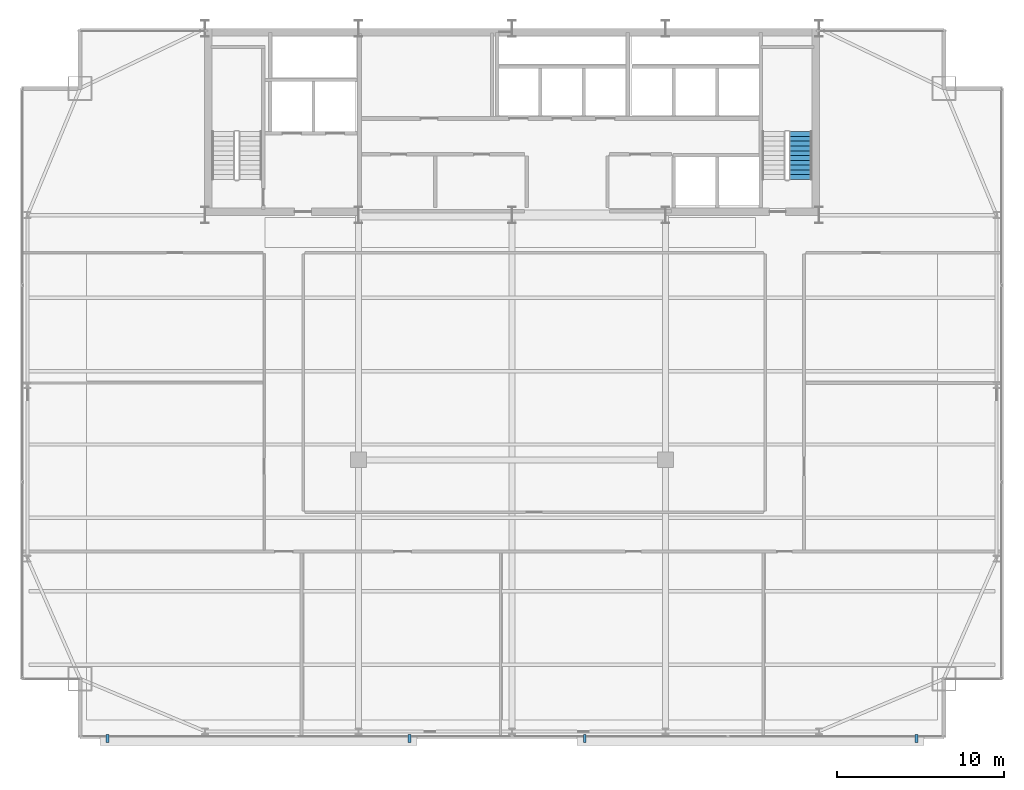
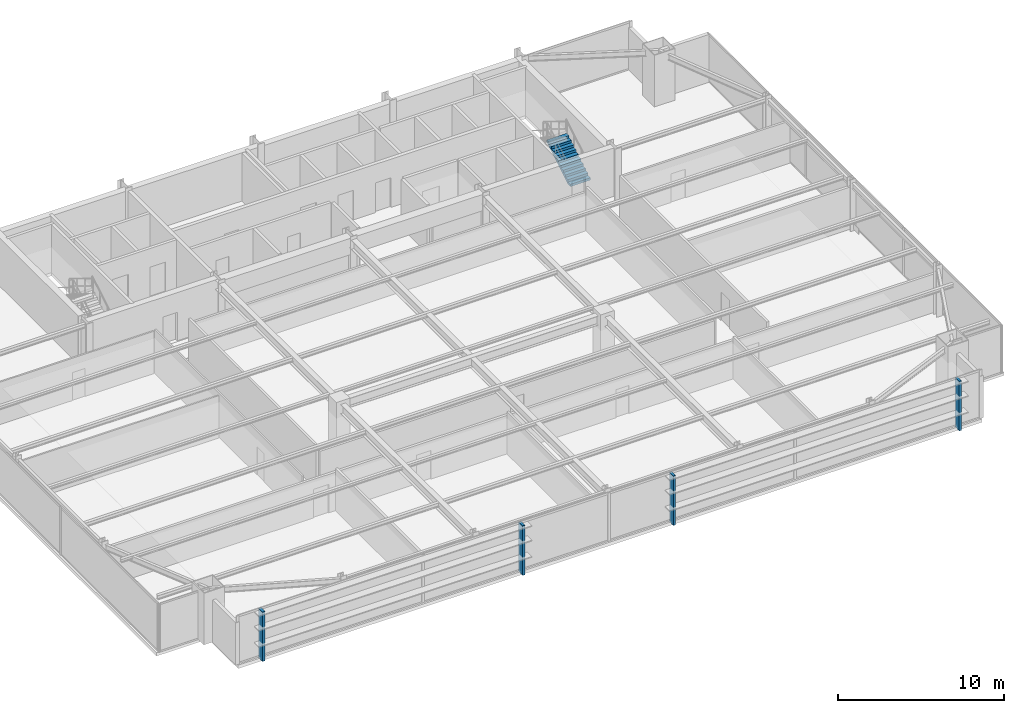
# One storey, part 31 of 33: 4 discrete accessories, 1 stair flight, 1 element without a shape of its own.
"""IFC4 building model written with IfcOpenShell, lengths in metres."""

from ifc_helpers import new_model, si_unit, direction, frame, origin, origin_2d, place, context, subcontext, project, spatial, polyline, rectangle, outline, extrude, source, transform, mapped, material, layer, layer_set, type_object, type_shapes, element, aggregate, save


model = new_model("IFC4")

# Units and contexts
model_context = context("Model", 3, precision=1e-05, world=origin(), true_north=direction((0.0, 1.0)))
body_context = subcontext(model_context, "Body", "Model", "MODEL_VIEW")
ifc_project = project(units=[si_unit("LENGTHUNIT", "METRE"), si_unit("AREAUNIT", "SQUARE_METRE"), si_unit("VOLUMEUNIT", "CUBIC_METRE"), si_unit("PLANEANGLEUNIT", "RADIAN"), si_unit("MASSUNIT", "GRAM", prefix="KILO")], contexts=[model_context])

# Site, building, storey
site_placement = place(None, origin())
site = spatial("IfcSite", under=ifc_project, at=site_placement, CompositionType="ELEMENT")
building_placement = place(site_placement, origin())
building = spatial("IfcBuilding", under=site, at=building_placement, Name="Varnel Quay Broadcast Tower", CompositionType="ELEMENT")
storey_placement = place(building_placement, frame((0.0, 0.0, 129.60009765625)))
storey = spatial("IfcBuildingStorey", under=building, at=storey_placement, Name="L31", CompositionType="ELEMENT", Elevation=129.60009765625)

# Stair, stair flight
ifc_material_1 = material(Name="Precast Structural Concrete C40/50", Category="concrete")
stair_type = type_object("IfcStairType", Name="Stair_ST-02", PredefinedType="HALF_TURN_STAIR", material=ifc_material_1)
stair_placement = place(storey_placement, origin())
stair = element("IfcStair", 1, at=stair_placement, inside=storey, type_object=stair_type, Name="L31 East Core Exit Stair 2", PredefinedType="HALF_TURN_STAIR")
stair_flight_type = type_object("IfcStairFlightType", Name="Flight_ST-02", PredefinedType="STRAIGHT", material=ifc_material_1)
stair_flight_placement = place(storey_placement, frame((51.300048828125, 37.75, 0.0), z_axis=(0.0, 0.0, 1.0), x_axis=(0.0, 1.0, 0.0)))
stair_flight = element("IfcStairFlight", 2, at=stair_flight_placement, type_object=stair_flight_type, Name="ST-02 flight 1", NumberOfRisers=11, NumberOfTreads=10, PredefinedType="STRAIGHT", RiserHeight=0.172727273, TreadLength=0.285, context=body_context, shape_type="SweptSolid", body=[
    extrude(outline(polyline([(0.0, 0.0), (0.0, 0.172607421875), (0.284912109375, 0.172607421875), (0.284912109375, 0.345458984375), (0.570068359375, 0.345458984375), (0.570068359375, 0.51806640625), (0.85498046875, 0.51806640625), (0.85498046875, 0.69091796875), (1.139892578125, 0.69091796875), (1.139892578125, 0.863525390625), (1.425048828125, 0.863525390625), (1.425048828125, 1.036376953125), (1.7099609375, 1.036376953125), (1.7099609375, 1.208984375), (1.9951171875, 1.208984375), (1.9951171875, 1.3818359375), (2.280029296875, 1.3818359375), (2.280029296875, 1.554443359375), (2.56494140625, 1.554443359375), (2.56494140625, 1.727294921875), (2.85009765625, 1.727294921875), (2.85009765625, 1.89990234375), (2.85009765625, 1.552001953125), (0.289306640625, 0.0), (0.0, 0.0)])), frame((0.0, 0.699951171875, 0.0), z_axis=(0.0, -1.0, 0.0), x_axis=(1.0, 0.0, 0.0)), (0.0, 0.0, 1.0), 1.39990234375),
])
aggregate(stair, [stair_flight])

# Discrete accessories
ifc_material_2 = material(Name="Anodised Bronze Aluminium 6063-T6", Category="aluminium")
ifc_layer = layer(ifc_material_2, 0.47998046875, Name="Anodised Bronze Aluminium 6063-T6")
ifc_layer_set = layer_set([ifc_layer], Name="Anodised Bronze Aluminium 6063-T6")
discrete_accessory_type = type_object("IfcDiscreteAccessoryType", Name="Acc_FacadeBracket", PredefinedType="BRACKET", material=ifc_layer_set)
shared_shape = source(origin(), body_context, "Body", "SweptSolid", [
    extrude(rectangle(XDim=0.159912109375, YDim=0.47998046875, at=origin_2d()), origin(), (0.0, 0.0, 1.0), 3.64990234375),
])
type_shapes(discrete_accessory_type, [shared_shape])
for number, where, z_axis, x_axis, name in (
    (3, (9.75, 4.219970703125, -0.150146484375), (0.0, 0.0, 1.0), (1.0, 0.0, 0.0), "L31 Lobe 1 Louvre Support Bracket 1"),
    (4, (27.85498046875, 4.219970703125, -0.150146484375), (0.0, 0.0, 1.0), (1.0, 0.0, 0.0), "L31 Lobe 1 Louvre Support Bracket 2"),
    (5, (38.35498046875, 4.219970703125, -0.150146484375), (0.0, 0.0, 1.0), (1.0, 0.0, 0.0), "L31 Lobe 2 Louvre Support Bracket 1"),
    (6, (58.25, 4.219970703125, -0.150146484375), (0.0, 0.0, 1.0), (1.0, 0.0, 0.0), "L31 Lobe 2 Louvre Support Bracket 2"),
):
    element("IfcDiscreteAccessory", number, at=place(storey_placement, frame(where, z_axis=z_axis, x_axis=x_axis)), inside=storey, type_object=discrete_accessory_type, Name=name, PredefinedType="BRACKET", context=body_context, shape_type="MappedRepresentation", body=[
        mapped(shared_shape, transform((0.0, 0.0, 0.0), x_axis=(1.0, 0.0, 0.0), y_axis=(0.0, 1.0, 0.0), z_axis=(0.0, 0.0, 1.0), scale=1.0)),
    ])

save(model, "model.ifc")
